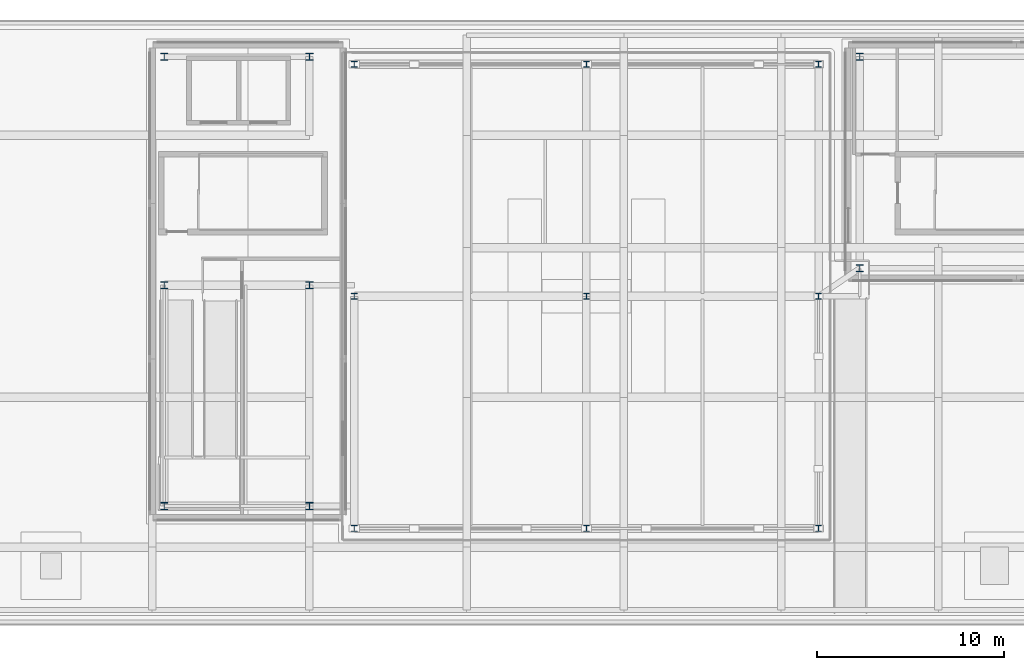
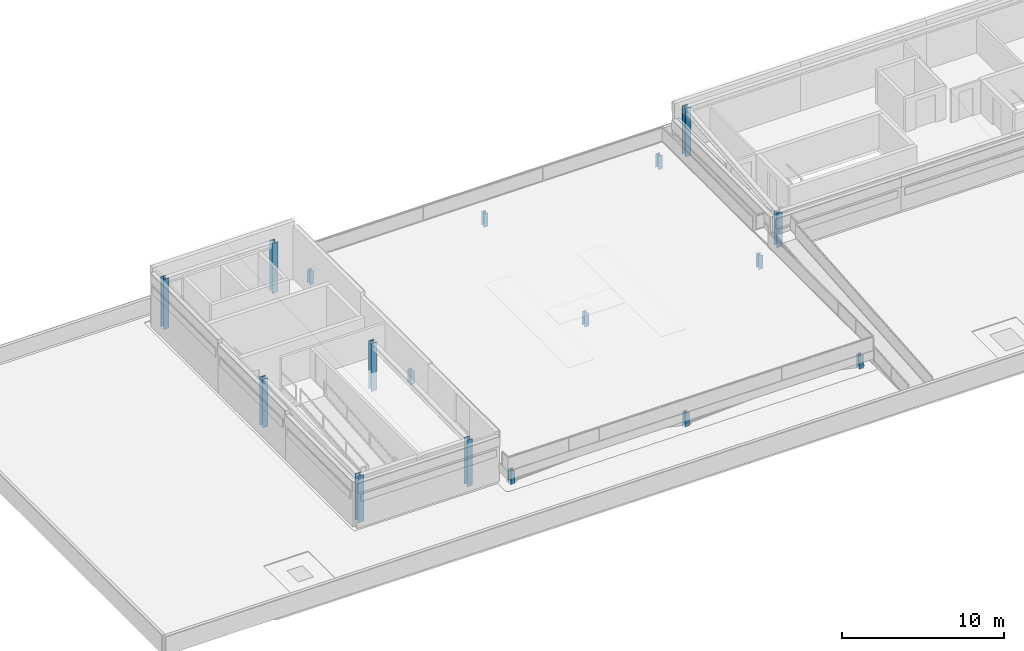
# One storey, part 1 of 14: 17 columns.
"""IFC4 building model written with IfcOpenShell, lengths in metres."""

from ifc_helpers import new_model, si_unit, direction, frame, origin, origin_2d, place, context, subcontext, project, spatial, i_section, extrude, material, material_profile, profile_set, type_object, element, save


model = new_model("IFC4")

# Units and contexts
model_context = context("Model", 3, precision=1e-05, world=origin(), true_north=direction((0.0, 1.0)))
body_context = subcontext(model_context, "Body", "Model", "MODEL_VIEW")
ifc_project = project(units=[si_unit("LENGTHUNIT", "METRE"), si_unit("AREAUNIT", "SQUARE_METRE"), si_unit("VOLUMEUNIT", "CUBIC_METRE"), si_unit("PLANEANGLEUNIT", "RADIAN"), si_unit("MASSUNIT", "GRAM", prefix="KILO")], contexts=[model_context])

# Site, building, storey
site_placement = place(None, origin())
site = spatial("IfcSite", under=ifc_project, at=site_placement, CompositionType="ELEMENT")
building_placement = place(site_placement, origin())
building = spatial("IfcBuilding", under=site, at=building_placement, Name="Selatvlak General Hospital", CompositionType="ELEMENT")
storey_placement = place(building_placement, frame((0.0, 0.0, 39.449951171875)))
storey = spatial("IfcBuildingStorey", under=building, at=storey_placement, Name="RF", CompositionType="ELEMENT", Elevation=39.449951171875)

# Columns
ifc_material = material(Name="Steel S355", Category="steel")
ifc_material_profile_1 = material_profile(ifc_material, i_section(OverallWidth=0.30908203125, OverallDepth=0.320556640625, WebThickness=0.013916015625, FlangeThickness=0.021728515625, at=origin_2d()), Name="UC 305x305x137")
ifc_profile_set_1 = profile_set([ifc_material_profile_1], Name="Steel S355")
column_type_1 = type_object("IfcColumnType", Name="COL-UC305", PredefinedType="COLUMN", material=ifc_profile_set_1)
for number, where, z_axis, x_axis, name in (
    (1, (58.800048828125, 93.0, 0.0), (0.0, 0.0, 1.0), (1.0, 0.0, 0.0), "Column 037 on RF"),
    (2, (58.800048828125, 105.39990234375, 0.0), (0.0, 0.0, 1.0), (1.0, 0.0, 0.0), "Column 038 on RF"),
    (3, (58.800048828125, 117.800048828125, 0.0), (0.0, 0.0, 1.0), (1.0, 0.0, 0.0), "Column 039 on RF"),
    (4, (71.199951171875, 93.0, 0.0), (0.0, 0.0, 1.0), (1.0, 0.0, 0.0), "Column 040 on RF"),
    (5, (71.199951171875, 105.39990234375, 0.0), (0.0, 0.0, 1.0), (1.0, 0.0, 0.0), "Column 041 on RF"),
    (6, (71.199951171875, 117.800048828125, 0.0), (0.0, 0.0, 1.0), (1.0, 0.0, 0.0), "Column 042 on RF"),
    (7, (83.60009765625, 93.0, 0.0), (0.0, 0.0, 1.0), (1.0, 0.0, 0.0), "Column 043 on RF"),
    (8, (83.60009765625, 105.39990234375, 0.0), (0.0, 0.0, 1.0), (1.0, 0.0, 0.0), "Column 044 on RF"),
    (9, (83.60009765625, 117.800048828125, 0.0), (0.0, 0.0, 1.0), (1.0, 0.0, 0.0), "Column 045 on RF"),
):
    element("IfcColumn", number, at=place(storey_placement, frame(where, z_axis=z_axis, x_axis=x_axis)), inside=storey, type_object=column_type_1, Name=name, PredefinedType="COLUMN", context=body_context, shape_type="SweptSolid", body=[
        extrude(i_section(OverallWidth=0.30908203125, OverallDepth=0.320556640625, WebThickness=0.013916015625, FlangeThickness=0.021728515625, at=origin_2d()), origin(), (0.0, 0.0, 1.0), 1.03515625),
    ])
ifc_material_profile_2 = material_profile(ifc_material, i_section(OverallWidth=0.394775390625, OverallDepth=0.381103515625, WebThickness=0.018310546875, FlangeThickness=0.0302734375, at=origin_2d()), Name="UC 356x406x235")
ifc_profile_set_2 = profile_set([ifc_material_profile_2], Name="Steel S355")
column_type_2 = type_object("IfcColumnType", Name="COL-UC356", PredefinedType="COLUMN", material=ifc_profile_set_2)
for number, where, z_axis, x_axis, name in (
    (10, (48.64990234375, 94.199951171875, 0.0), (0.0, 0.0, 1.0), (1.0, 0.0, 0.0), "Column 046 on RF"),
    (11, (56.39990234375, 94.199951171875, 0.0), (0.0, 0.0, 1.0), (1.0, 0.0, 0.0), "Column 047 on RF"),
):
    element("IfcColumn", number, at=place(storey_placement, frame(where, z_axis=z_axis, x_axis=x_axis)), inside=storey, type_object=column_type_2, Name=name, PredefinedType="COLUMN", context=body_context, shape_type="SweptSolid", body=[
        extrude(i_section(OverallWidth=0.394775390625, OverallDepth=0.381103515625, WebThickness=0.018310546875, FlangeThickness=0.0302734375, at=origin_2d()), origin(), (0.0, 0.0, 1.0), 3.5),
    ])
for number, where, z_axis, x_axis, name in (
    (12, (48.64990234375, 106.0, 0.0), (0.0, 0.0, 1.0), (1.0, 0.0, 0.0), "Column 048 on RF"),
    (13, (56.39990234375, 106.0, 0.0), (0.0, 0.0, 1.0), (1.0, 0.0, 0.0), "Column 049 on RF"),
):
    element("IfcColumn", number, at=place(storey_placement, frame(where, z_axis=z_axis, x_axis=x_axis)), inside=storey, type_object=column_type_2, Name=name, PredefinedType="COLUMN", context=body_context, shape_type="SweptSolid", body=[
        extrude(i_section(OverallWidth=0.394775390625, OverallDepth=0.381103515625, WebThickness=0.018310546875, FlangeThickness=0.0302734375, at=origin_2d()), origin(), (0.0, 0.0, 1.0), 3.630126953125),
    ])
for number, where, z_axis, x_axis, name in (
    (14, (48.64990234375, 118.199951171875, 0.0), (0.0, 0.0, 1.0), (1.0, 0.0, 0.0), "Column 050 on RF"),
    (15, (56.39990234375, 118.199951171875, 0.0), (0.0, 0.0, 1.0), (1.0, 0.0, 0.0), "Column 051 on RF"),
):
    element("IfcColumn", number, at=place(storey_placement, frame(where, z_axis=z_axis, x_axis=x_axis)), inside=storey, type_object=column_type_2, Name=name, PredefinedType="COLUMN", context=body_context, shape_type="SweptSolid", body=[
        extrude(i_section(OverallWidth=0.394775390625, OverallDepth=0.381103515625, WebThickness=0.018310546875, FlangeThickness=0.0302734375, at=origin_2d()), origin(), (0.0, 0.0, 1.0), 3.77001953125),
    ])
column_1_placement = place(storey_placement, frame((85.800048828125, 106.89990234375, 0.0), z_axis=(0.0, 0.0, 1.0), x_axis=(1.0, 0.0, 0.0)))
element("IfcColumn", 16, at=column_1_placement, inside=storey, type_object=column_type_2, Name="Column 052 on RF", PredefinedType="COLUMN", context=body_context, shape_type="SweptSolid", body=[
    extrude(i_section(OverallWidth=0.394775390625, OverallDepth=0.381103515625, WebThickness=0.018310546875, FlangeThickness=0.0302734375, at=origin_2d()), origin(), (0.0, 0.0, 1.0), 2.570068359375),
])
column_2_placement = place(storey_placement, frame((85.800048828125, 118.199951171875, 0.0), z_axis=(0.0, 0.0, 1.0), x_axis=(1.0, 0.0, 0.0)))
element("IfcColumn", 17, at=column_2_placement, inside=storey, type_object=column_type_2, Name="Column 057 on RF", PredefinedType="COLUMN", context=body_context, shape_type="SweptSolid", body=[
    extrude(i_section(OverallWidth=0.394775390625, OverallDepth=0.381103515625, WebThickness=0.018310546875, FlangeThickness=0.0302734375, at=origin_2d()), origin(), (0.0, 0.0, 1.0), 3.630126953125),
])

save(model, "model.ifc")
